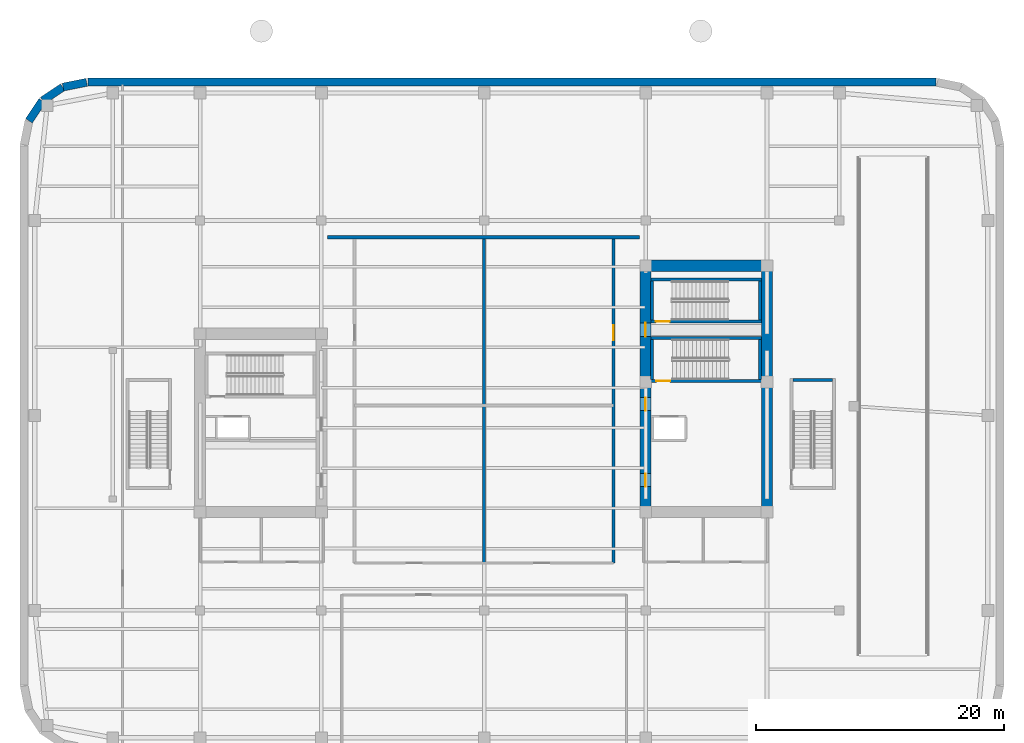
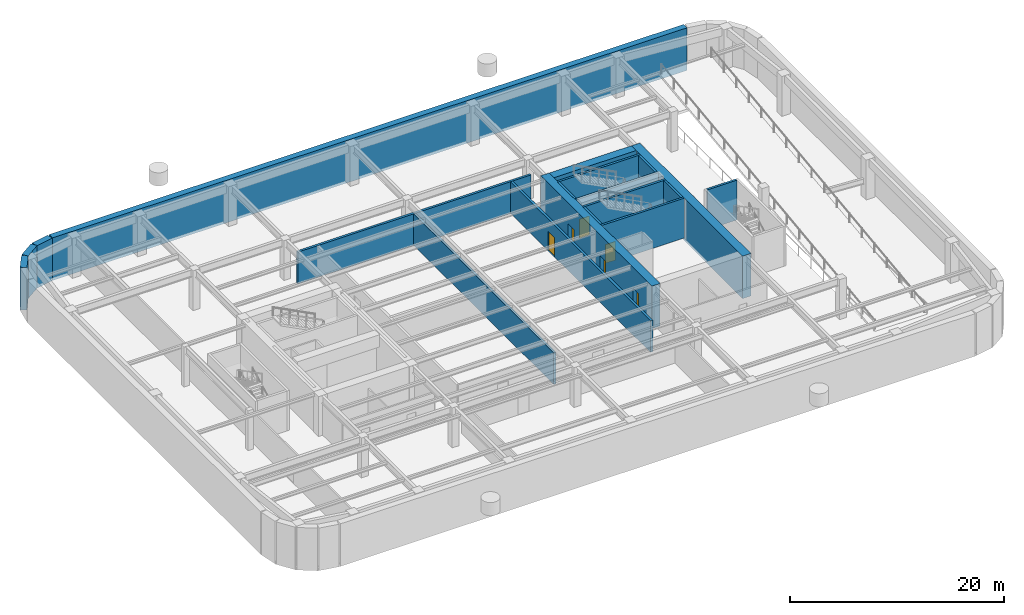
# One storey, part 6 of 12: 19 walls, 6 doors, 6 openings.
"""IFC4 building model written with IfcOpenShell, lengths in metres."""

import ifcopenshell
import ifcopenshell.guid

model = None  # the IFC model being written
_history = None  # IfcOwnerHistory: only IFC2X3 demands one
_inside = {}  # id of a spatial element -> (the spatial element, [elements in it])
_under = {}  # id of a project, library or spatial element -> (it, [spatial elements below it])
_declared = {}  # id of a project -> (the project, [libraries it declares])
_typed = {}  # id of a type object -> (the type object, [elements of that type])
_made_of = {}  # id of a material, layer set ... -> (it, [elements and type objects made of it])


def new_model(schema):
    """Start an empty IFC model of exactly this schema.

    Asked for "IFC4X3", IfcOpenShell would pick the latest addendum, in which some entities
    have other attributes; the version numbers below select the first issue.
    IFC2X3 requires an IfcOwnerHistory on every rooted entity: one is made here for all.
    """
    global model, _history
    if schema == "IFC4X3":
        model = ifcopenshell.file(schema_version=(4, 3, 0, 0))
    else:
        model = ifcopenshell.file(schema=schema)
    _inside.clear()
    _under.clear()
    _declared.clear()
    _typed.clear()
    _made_of.clear()
    _history = None
    if model.schema == "IFC2X3":
        org = make("IfcOrganization", Name="unknown")
        user = make(
            "IfcPersonAndOrganization",
            ThePerson=make("IfcPerson", FamilyName="unknown"),
            TheOrganization=org,
        )
        app = make(
            "IfcApplication",
            ApplicationDeveloper=org,
            Version="unknown",
            ApplicationFullName="unknown",
            ApplicationIdentifier="unknown",
        )
        _history = make(
            "IfcOwnerHistory",
            OwningUser=user,
            OwningApplication=app,
            ChangeAction="ADDED",
            CreationDate=0,
        )
    return model


def make(cls, **values):
    """One entity of the class cls with the attributes given. An attribute that is None is left unset."""
    return model.create_entity(
        cls, **{name: value for name, value in values.items() if value is not None}
    )


def rooted(cls, **values):
    """An entity with a GlobalId (a new one), such as an element, a storey or a relation."""
    return make(cls, GlobalId=ifcopenshell.guid.new(), OwnerHistory=_history, **values)


def si_unit(unit_type, name, prefix=None):
    """IfcSIUnit, for example si_unit("LENGTHUNIT", "METRE", prefix="MILLI")."""
    return make("IfcSIUnit", UnitType=unit_type, Prefix=prefix, Name=name)


def assignment(units):
    """IfcUnitAssignment: the units of a project."""
    return None if units is None else make("IfcUnitAssignment", Units=units)


def point(xyz):
    """IfcCartesianPoint."""
    return None if xyz is None else make("IfcCartesianPoint", Coordinates=xyz)


def direction(xyz):
    """IfcDirection."""
    return None if xyz is None else make("IfcDirection", DirectionRatios=xyz)


def frame(location, z_axis=None, x_axis=None):
    """IfcAxis2Placement3D, a coordinate frame: its origin and axes. An axis left out is left unset."""
    return make(
        "IfcAxis2Placement3D",
        Location=point(location),
        Axis=direction(z_axis),
        RefDirection=direction(x_axis),
    )


def frame_2d(location, x_axis=None):
    """IfcAxis2Placement2D, a coordinate frame in the plane: its origin and x axis."""
    return make(
        "IfcAxis2Placement2D", Location=point(location), RefDirection=direction(x_axis)
    )


def origin():
    """The frame at (0, 0, 0) with its axes left unset."""
    return frame((0.0, 0.0, 0.0))


def place(relative_to, where):
    """IfcLocalPlacement: puts the frame where relative to a parent placement (None: the world)."""
    return make(
        "IfcLocalPlacement", PlacementRelTo=relative_to, RelativePlacement=where
    )


def context(
    kind, dimensions, precision=None, world=None, true_north=None, identifier=None
):
    """IfcGeometricRepresentationContext, for example the 3D "Model" context."""
    return make(
        "IfcGeometricRepresentationContext",
        ContextIdentifier=identifier,
        ContextType=kind,
        CoordinateSpaceDimension=dimensions,
        Precision=precision,
        WorldCoordinateSystem=world,
        TrueNorth=true_north,
    )


def subcontext(parent, identifier, kind, view, scale=None):
    """IfcGeometricRepresentationSubContext, for example "Body" below "Model"."""
    return make(
        "IfcGeometricRepresentationSubContext",
        ContextIdentifier=identifier,
        ContextType=kind,
        ParentContext=parent,
        TargetScale=scale,
        TargetView=view,
    )


def project(units=None, contexts=None):
    """IfcProject with its units and contexts."""
    return rooted(
        "IfcProject",
        Name="project",
        RepresentationContexts=contexts,
        UnitsInContext=assignment(units),
    )


def spatial(cls, under=None, at=None, **own):
    """A site, building, storey or space (cls), placed at a placement, below another one or the project."""
    s = rooted(cls, ObjectPlacement=at, **own)
    if under is not None:
        _under.setdefault(under.id(), (under, []))[1].append(s)
    return s


def profile(cls, at=None, kind="AREA", **sizes):
    """A parametric profile (cls). Its sizes go by their IFC names, for example OverallWidth=200.0."""
    return make(cls, ProfileType=kind, Position=at, **sizes)


def rectangle(**sizes):
    """IfcRectangleProfileDef."""
    return profile("IfcRectangleProfileDef", **sizes)


def extrude(swept, where, along, depth):
    """IfcExtrudedAreaSolid: the profile swept, set in the frame where, extruded along a direction by depth."""
    return make(
        "IfcExtrudedAreaSolid",
        SweptArea=swept,
        Position=where,
        ExtrudedDirection=direction(along),
        Depth=depth,
    )


def shape(context_of_items, identifier, shape_type, items):
    """IfcShapeRepresentation: the items that make up one representation, for example the "Body"."""
    return make(
        "IfcShapeRepresentation",
        ContextOfItems=context_of_items,
        RepresentationIdentifier=identifier,
        RepresentationType=shape_type,
        Items=items,
    )


def material(Name=None, Category=None):
    """IfcMaterial."""
    return make("IfcMaterial", Name=Name, Category=Category)


def layer(
    of_material, thickness, ventilated=None, Name=None, Category=None, Priority=None
):
    """IfcMaterialLayer: one layer of a wall or slab, of a material (None: an air gap)."""
    return make(
        "IfcMaterialLayer",
        Material=of_material,
        LayerThickness=thickness,
        IsVentilated=ventilated,
        Name=Name,
        Category=Category,
        Priority=Priority,
    )


def layer_set(layers, Name=None):
    """IfcMaterialLayerSet."""
    return make("IfcMaterialLayerSet", MaterialLayers=layers, LayerSetName=Name)


def made_of(thing, what):
    """Note that an element or type object is made of a material, layer set ...; save() writes the relation."""
    if what is not None:
        _made_of.setdefault(what.id(), (what, []))[1].append(thing)
    return thing


def type_object(cls, material=None, **own):
    """A type object (cls), such as IfcWallType, which elements share."""
    return made_of(rooted(cls, **own), material)


def element(
    cls,
    number,
    at=None,
    inside=None,
    cuts=None,
    type_object=None,
    material=None,
    context=None,
    identifier="Body",
    shape_type=None,
    held_by="IfcProductDefinitionShape",
    body=None,
    shapes=None,
    **own,
):
    """One element of the class cls, such as IfcWall. Its Tag is "e" and its number.

    at: its placement. inside: the storey or other place that contains it. cuts: it is an
    opening in that element (IfcRelVoidsElement). A single representation is given by context,
    identifier, shape_type and body (its items); several are given by shapes. held_by: the class
    of the entity that holds the representations. save() writes the other relations.
    """
    e = rooted(cls, Tag="e%d" % number, ObjectPlacement=at, **own)
    if body is not None:
        shapes = [shape(context, identifier, shape_type, body)]
    if shapes is not None:
        e.Representation = make(held_by, Representations=shapes)
    if inside is not None:
        _inside.setdefault(inside.id(), (inside, []))[1].append(e)
    if cuts is not None:
        rooted(
            "IfcRelVoidsElement", RelatingBuildingElement=cuts, RelatedOpeningElement=e
        )
    if type_object is not None:
        _typed.setdefault(type_object.id(), (type_object, []))[1].append(e)
    return made_of(e, material)


def fill(opening, filler):
    """IfcRelFillsElement: the door or window that sits in an opening."""
    return rooted(
        "IfcRelFillsElement",
        RelatingOpeningElement=opening,
        RelatedBuildingElement=filler,
    )


def aggregate(whole, parts):
    """IfcRelAggregates: a whole, such as a stair, and the parts it consists of."""
    return rooted("IfcRelAggregates", RelatingObject=whole, RelatedObjects=parts)


def save(model, path):
    """Write the relations noted so far, then the file.

    IfcRelAggregates (storeys below a building ...), IfcRelContainedInSpatialStructure (elements
    in a storey), IfcRelDefinesByType, IfcRelAssociatesMaterial and IfcRelDeclares: one each for
    every whole, place, type object, material and project.
    """
    for whole, parts in _under.values():
        aggregate(whole, parts)
    for where, things in _inside.values():
        rooted(
            "IfcRelContainedInSpatialStructure",
            RelatedElements=things,
            RelatingStructure=where,
        )
    for kind, things in _typed.values():
        rooted("IfcRelDefinesByType", RelatedObjects=things, RelatingType=kind)
    for what, things in _made_of.values():
        rooted("IfcRelAssociatesMaterial", RelatedObjects=things, RelatingMaterial=what)
    for by, libraries in _declared.values():
        rooted("IfcRelDeclares", RelatingContext=by, RelatedDefinitions=libraries)
    model.write(path)


model = new_model("IFC4")

# Units and contexts
model_context = context("Model", 3, precision=1e-05, world=origin(), true_north=direction((0.0, 1.0)))
body_context = subcontext(model_context, "Body", "Model", "MODEL_VIEW")
ifc_project = project(units=[si_unit("LENGTHUNIT", "METRE"), si_unit("AREAUNIT", "SQUARE_METRE"), si_unit("VOLUMEUNIT", "CUBIC_METRE"), si_unit("PLANEANGLEUNIT", "RADIAN"), si_unit("MASSUNIT", "GRAM", prefix="KILO")], contexts=[model_context])

# Site, building, storey
site_placement = place(None, origin())
site = spatial("IfcSite", under=ifc_project, at=site_placement, CompositionType="ELEMENT")
building_placement = place(site_placement, origin())
building = spatial("IfcBuilding", under=site, at=building_placement, Name="Kolvaren Arena Tower", CompositionType="ELEMENT")
storey_placement = place(building_placement, frame((0.0, 0.0, -5.0)))
storey = spatial("IfcBuildingStorey", under=building, at=storey_placement, Name="B01", CompositionType="ELEMENT", Elevation=-5.0)

# Wall, openings, doors
ifc_material_1 = material(Name="Concrete 80 MPa", Category="concrete")
ifc_layer_1 = layer(ifc_material_1, 0.89990234375)
ifc_layer_set_1 = layer_set([ifc_layer_1], Name="Concrete 80 MPa")
wall_type_1 = type_object("IfcWallType", Name="CWALL-900", PredefinedType="SHEAR", material=ifc_layer_set_1)
wall_1_placement = place(storey_placement, frame((50.550048828125, 19.0, -0.31005859375), z_axis=(0.0, 0.0, 1.0), x_axis=(0.0, 1.0, 0.0)))
wall_1 = element("IfcWall", 1, at=wall_1_placement, inside=storey, type_object=wall_type_1, Name="Core Shear Wall EC-WEST (B01)", PredefinedType="SHEAR", context=body_context, shape_type="SweptSolid", body=[
    extrude(rectangle(XDim=20.800048828125, YDim=0.89990234375, at=frame_2d((10.39990234375, 0.0))), origin(), (0.0, 0.0, 1.0), 4.860107421875),
])
opening_1_placement = place(wall_1_placement, frame((2.5, 0.0, 0.31005859375)))
opening_1 = element("IfcOpeningElement", 2, at=opening_1_placement, cuts=wall_1, Name="Opening D04", PredefinedType="OPENING", context=body_context, shape_type="SweptSolid", body=[
    extrude(rectangle(XDim=1.050048828125, YDim=2.14990234375, at=frame_2d((0.52490234375, 1.074951171875))), frame((0.0, 0.4599609375, 0.0), z_axis=(0.0, -1.0, 0.0), x_axis=(1.0, 0.0, 0.0)), (0.0, 0.0, 1.0), 0.919921875),
])
opening_2_placement = place(wall_1_placement, frame((8.64990234375, 0.0, 0.31005859375)))
opening_2 = element("IfcOpeningElement", 3, at=opening_2_placement, cuts=wall_1, Name="Opening D04", PredefinedType="OPENING", context=body_context, shape_type="SweptSolid", body=[
    extrude(rectangle(XDim=1.050048828125, YDim=2.14990234375, at=frame_2d((0.52490234375, 1.074951171875))), frame((0.0, 0.4599609375, 0.0), z_axis=(0.0, -1.0, 0.0), x_axis=(1.0, 0.0, 0.0)), (0.0, 0.0, 1.0), 0.919921875),
])
opening_3_placement = place(wall_1_placement, frame((14.6201171875, 0.0, 0.31005859375)))
opening_3 = element("IfcOpeningElement", 4, at=opening_3_placement, cuts=wall_1, Name="Opening D03", PredefinedType="OPENING", context=body_context, shape_type="SweptSolid", body=[
    extrude(rectangle(XDim=1.10009765625, YDim=2.14990234375, at=frame_2d((0.550048828125, 1.074951171875))), frame((0.0, 0.4599609375, 0.0), z_axis=(0.0, -1.0, 0.0), x_axis=(1.0, 0.0, 0.0)), (0.0, 0.0, 1.0), 0.919921875),
])
ifc_material_2 = material(Name="Fire-rated steel lobby door", Category="steel")
door_type_1 = type_object("IfcDoorType", Name="DOOR-FF-105", OperationType="NOTDEFINED", PredefinedType="DOOR", material=ifc_material_2)
door_1_placement = place(opening_1_placement, origin())
door_1 = element("IfcDoor", 5, at=door_1_placement, inside=storey, type_object=door_type_1, Name="East Lift Lobby Fire Door (B01)", OperationType="SINGLE_SWING_RIGHT", OverallHeight=2.14990234375, OverallWidth=1.050048828125, PredefinedType="DOOR", context=body_context, shape_type="SweptSolid", body=[
    extrude(rectangle(XDim=1.050048828125, YDim=2.14990234375, at=frame_2d((0.52490234375, 1.074951171875))), frame((0.0, 0.02490234375, 0.0), z_axis=(0.0, -1.0, 0.0), x_axis=(1.0, 0.0, 0.0)), (0.0, 0.0, 1.0), 0.050048828125),
])
fill(opening_1, door_1)
door_2_placement = place(opening_2_placement, origin())
door_2 = element("IfcDoor", 6, at=door_2_placement, inside=storey, type_object=door_type_1, Name="East Firefighter Vestibule Door (B01)", OperationType="SINGLE_SWING_LEFT", OverallHeight=2.14990234375, OverallWidth=1.050048828125, PredefinedType="DOOR", context=body_context, shape_type="SweptSolid", body=[
    extrude(rectangle(XDim=1.050048828125, YDim=2.14990234375, at=frame_2d((0.52490234375, 1.074951171875))), frame((0.0, 0.02490234375, 0.0), z_axis=(0.0, -1.0, 0.0), x_axis=(1.0, 0.0, 0.0)), (0.0, 0.0, 1.0), 0.050048828125),
])
fill(opening_2, door_2)
ifc_material_3 = material(Name="Fire-rated steel exit stair door", Category="steel")
door_type_2 = type_object("IfcDoorType", Name="DOOR-ST-110", OperationType="NOTDEFINED", PredefinedType="DOOR", material=ifc_material_3)
door_3_placement = place(opening_3_placement, origin())
door_3 = element("IfcDoor", 7, at=door_3_placement, inside=storey, type_object=door_type_2, Name="Stair ST-E2 Vestibule Fire Door (B01)", OperationType="SINGLE_SWING_LEFT", OverallHeight=2.14990234375, OverallWidth=1.10009765625, PredefinedType="DOOR", context=body_context, shape_type="SweptSolid", body=[
    extrude(rectangle(XDim=1.10009765625, YDim=2.14990234375, at=frame_2d((0.550048828125, 1.074951171875))), frame((0.0, 0.02490234375, 0.0), z_axis=(0.0, -1.0, 0.0), x_axis=(1.0, 0.0, 0.0)), (0.0, 0.0, 1.0), 0.050048828125),
])
fill(opening_3, door_3)

# Walls
wall_2_placement = place(storey_placement, frame((60.35009765625, 19.0, -0.31005859375), z_axis=(0.0, 0.0, 1.0), x_axis=(0.0, 1.0, 0.0)))
element("IfcWall", 8, at=wall_2_placement, inside=storey, type_object=wall_type_1, Name="Core Shear Wall EC-EAST (B01)", PredefinedType="SHEAR", context=body_context, shape_type="SweptSolid", body=[
    extrude(rectangle(XDim=20.800048828125, YDim=0.89990234375, at=frame_2d((10.39990234375, 0.0))), origin(), (0.0, 0.0, 1.0), 4.860107421875),
])
wall_3_placement = place(storey_placement, frame((51.0, 39.35009765625, -0.31005859375), z_axis=(0.0, 0.0, 1.0), x_axis=(1.0, 0.0, 0.0)))
element("IfcWall", 9, at=wall_3_placement, inside=storey, type_object=wall_type_1, Name="Core Shear Wall EC-NORTH (B01)", PredefinedType="SHEAR", context=body_context, shape_type="SweptSolid", body=[
    extrude(rectangle(XDim=8.89990234375, YDim=0.89990234375, at=frame_2d((4.449951171875, 0.0))), origin(), (0.0, 0.0, 1.0), 4.860107421875),
])
ifc_material_4 = material(Name="Concrete 50 MPa", Category="concrete")
ifc_layer_2 = layer(ifc_material_4, 0.64990234375)
ifc_layer_set_2 = layer_set([ifc_layer_2], Name="Concrete 50 MPa")
wall_type_2 = type_object("IfcWallType", Name="RWALL-650", PredefinedType="USERDEFINED", material=ifc_layer_set_2)
wall_4_placement = place(storey_placement, frame((5.485107421875, 54.175048828125, -0.31005859375), z_axis=(0.0, 0.0, 1.0), x_axis=(1.0, 0.0, 0.0)))
element("IfcWall", 10, at=wall_4_placement, inside=storey, type_object=wall_type_2, Name="Basement Perimeter Retaining Wall (B01)", ObjectType="RETAININGWALL", PredefinedType="USERDEFINED", context=body_context, shape_type="SweptSolid", body=[
    extrude(rectangle(XDim=68.52978515625, YDim=0.64990234375, at=frame_2d((34.264892578125, 0.0))), origin(), (0.0, 0.0, 1.0), 4.860107421875),
])
for number, where, z_axis, x_axis, name in (
    (11, (3.480224609375, 53.78662109375, -0.31005859375), (0.0, 0.0, 1.0), (0.980754811029, 0.19524343944, 0.0), "Basement Perimeter Retaining Wall (B01)"),
    (12, (1.832763671875, 52.6953125, -0.31005859375), (0.0, 0.0, 1.0), (0.831468126154, 0.555572457191, 0.0), "Basement Perimeter Retaining Wall (B01)"),
    (13, (0.728515625, 51.056640625, -0.31005859375), (0.0, 0.0, 1.0), (0.555572457191, 0.831468126154, 0.0), "Basement Perimeter Retaining Wall (B01)"),
):
    element("IfcWall", number, at=place(storey_placement, frame(where, z_axis=z_axis, x_axis=x_axis)), inside=storey, type_object=wall_type_2, Name=name, ObjectType="RETAININGWALL", PredefinedType="USERDEFINED", context=body_context, shape_type="SweptSolid", body=[
        extrude(rectangle(XDim=1.93701171875, YDim=0.64990234375, at=frame_2d((0.968505859375, 0.0))), origin(), (0.0, 0.0, 1.0), 4.860107421875),
    ])
ifc_material_5 = material(Name="Concrete 45 MPa", Category="concrete")
ifc_layer_3 = layer(ifc_material_5, 0.25)
ifc_layer_set_3 = layer_set([ifc_layer_3], Name="Concrete 45 MPa")
wall_type_3 = type_object("IfcWallType", Name="SHAFT-250", PredefinedType="SOLIDWALL", material=ifc_layer_set_3)
wall_5_placement = place(storey_placement, frame((62.4599609375, 30.1201171875, 0.0), z_axis=(0.0, 0.0, 1.0), x_axis=(1.0, 0.0, 0.0)))
element("IfcWall", 14, at=wall_5_placement, inside=storey, type_object=wall_type_3, Name="Stair ST-B2 North Shaft Wall (B01)", PredefinedType="SOLIDWALL", context=body_context, shape_type="SweptSolid", body=[
    extrude(rectangle(XDim=3.18994140625, YDim=0.239990234375, at=frame_2d((1.594970703125, 0.0))), origin(), (0.0, 0.0, 1.0), 4.550048828125),
])

# Wall, opening, door
wall_6_placement = place(storey_placement, frame((59.89990234375, 30.030029296875, 0.0), z_axis=(0.0, 0.0, 1.0), x_axis=(-1.0, 0.0, 0.0)))
wall_6 = element("IfcWall", 15, at=wall_6_placement, inside=storey, type_object=wall_type_3, Name="Core Shaft Wall (B01)", PredefinedType="SOLIDWALL", context=body_context, shape_type="SweptSolid", body=[
    extrude(rectangle(XDim=8.89990234375, YDim=0.239990234375, at=frame_2d((4.449951171875, 0.0))), origin(), (0.0, 0.0, 1.0), 4.550048828125),
])
opening_4_placement = place(wall_6_placement, frame((7.3798828125, 0.0, 0.0)))
opening_4 = element("IfcOpeningElement", 16, at=opening_4_placement, cuts=wall_6, Name="Opening D03", PredefinedType="OPENING", context=body_context, shape_type="SweptSolid", body=[
    extrude(rectangle(XDim=1.10009765625, YDim=2.14990234375, at=frame_2d((0.550048828125, 1.074951171875))), frame((0.0, 0.1298828125, 0.0), z_axis=(0.0, -1.0, 0.0), x_axis=(1.0, 0.0, 0.0)), (0.0, 0.0, 1.0), 0.260009765625),
])
door_4_placement = place(opening_4_placement, origin())
door_4 = element("IfcDoor", 17, at=door_4_placement, inside=storey, type_object=door_type_2, Name="Stair ST-E1 Fire Door (B01)", OperationType="SINGLE_SWING_LEFT", OverallHeight=2.14990234375, OverallWidth=1.10009765625, PredefinedType="DOOR", context=body_context, shape_type="SweptSolid", body=[
    extrude(rectangle(XDim=1.10009765625, YDim=2.14990234375, at=frame_2d((0.550048828125, 1.074951171875))), frame((0.0, 0.02490234375, 0.0), z_axis=(0.0, -1.0, 0.0), x_axis=(1.0, 0.0, 0.0)), (0.0, 0.0, 1.0), 0.050048828125),
])
fill(opening_4, door_4)

# Walls
wall_7_placement = place(storey_placement, frame((51.0, 33.5, 0.0), z_axis=(0.0, 0.0, 1.0), x_axis=(1.0, 0.0, 0.0)))
element("IfcWall", 18, at=wall_7_placement, inside=storey, type_object=wall_type_3, Name="Core Shaft Wall (B01)", PredefinedType="SOLIDWALL", context=body_context, shape_type="SweptSolid", body=[
    extrude(rectangle(XDim=8.89990234375, YDim=0.239990234375, at=frame_2d((4.449951171875, 0.0))), origin(), (0.0, 0.0, 1.0), 4.550048828125),
])
for number, where, z_axis, x_axis, name in (
    (19, (51.06005859375, 30.14990234375, 0.0), (0.0, 0.0, 1.0), (0.0, 1.0, 0.0), "Core Shaft Wall (B01)"),
    (20, (59.780029296875, 30.14990234375, 0.0), (0.0, 0.0, 1.0), (0.0, 1.0, 0.0), "Core Shaft Wall (B01)"),
):
    element("IfcWall", number, at=place(storey_placement, frame(where, z_axis=z_axis, x_axis=x_axis)), inside=storey, type_object=wall_type_3, Name=name, PredefinedType="SOLIDWALL", context=body_context, shape_type="SweptSolid", body=[
        extrude(rectangle(XDim=3.22998046875, YDim=0.239990234375, at=frame_2d((1.614990234375, 0.0))), origin(), (0.0, 0.0, 1.0), 4.550048828125),
    ])

# Wall, opening, door
wall_8_placement = place(storey_placement, frame((59.89990234375, 34.830078125, 0.0), z_axis=(0.0, 0.0, 1.0), x_axis=(-1.0, 0.0, 0.0)))
wall_8 = element("IfcWall", 21, at=wall_8_placement, inside=storey, type_object=wall_type_3, Name="Core Shaft Wall (B01)", PredefinedType="SOLIDWALL", context=body_context, shape_type="SweptSolid", body=[
    extrude(rectangle(XDim=8.89990234375, YDim=0.239990234375, at=frame_2d((4.449951171875, 0.0))), origin(), (0.0, 0.0, 1.0), 4.550048828125),
])
opening_5_placement = place(wall_8_placement, frame((7.419921875, 0.0, 0.0)))
opening_5 = element("IfcOpeningElement", 22, at=opening_5_placement, cuts=wall_8, Name="Opening D03", PredefinedType="OPENING", context=body_context, shape_type="SweptSolid", body=[
    extrude(rectangle(XDim=1.10009765625, YDim=2.14990234375, at=frame_2d((0.550048828125, 1.074951171875))), frame((0.0, 0.1298828125, 0.0), z_axis=(0.0, -1.0, 0.0), x_axis=(1.0, 0.0, 0.0)), (0.0, 0.0, 1.0), 0.260009765625),
])
door_5_placement = place(opening_5_placement, origin())
door_5 = element("IfcDoor", 23, at=door_5_placement, inside=storey, type_object=door_type_2, Name="Stair ST-E2 Fire Door (B01)", OperationType="SINGLE_SWING_LEFT", OverallHeight=2.14990234375, OverallWidth=1.10009765625, PredefinedType="DOOR", context=body_context, shape_type="SweptSolid", body=[
    extrude(rectangle(XDim=1.10009765625, YDim=2.14990234375, at=frame_2d((0.550048828125, 1.074951171875))), frame((0.0, 0.02490234375, 0.0), z_axis=(0.0, -1.0, 0.0), x_axis=(1.0, 0.0, 0.0)), (0.0, 0.0, 1.0), 0.050048828125),
])
fill(opening_5, door_5)

# Walls
wall_9_placement = place(storey_placement, frame((51.0, 38.219970703125, 0.0), z_axis=(0.0, 0.0, 1.0), x_axis=(1.0, 0.0, 0.0)))
element("IfcWall", 24, at=wall_9_placement, inside=storey, type_object=wall_type_3, Name="Core Shaft Wall (B01)", PredefinedType="SOLIDWALL", context=body_context, shape_type="SweptSolid", body=[
    extrude(rectangle(XDim=8.89990234375, YDim=0.239990234375, at=frame_2d((4.449951171875, 0.0))), origin(), (0.0, 0.0, 1.0), 4.550048828125),
])
for number, where, z_axis, x_axis, name in (
    (25, (51.06005859375, 34.949951171875, 0.0), (0.0, 0.0, 1.0), (0.0, 1.0, 0.0), "Core Shaft Wall (B01)"),
    (26, (59.780029296875, 34.949951171875, 0.0), (0.0, 0.0, 1.0), (0.0, 1.0, 0.0), "Core Shaft Wall (B01)"),
):
    element("IfcWall", number, at=place(storey_placement, frame(where, z_axis=z_axis, x_axis=x_axis)), inside=storey, type_object=wall_type_3, Name=name, PredefinedType="SOLIDWALL", context=body_context, shape_type="SweptSolid", body=[
        extrude(rectangle(XDim=3.150146484375, YDim=0.239990234375, at=frame_2d((1.5751953125, 0.0))), origin(), (0.0, 0.0, 1.0), 4.550048828125),
    ])
wall_10_placement = place(storey_placement, frame((37.5, 15.340087890625, 0.0), z_axis=(0.0, 0.0, 1.0), x_axis=(0.0, 1.0, 0.0)))
element("IfcWall", 27, at=wall_10_placement, inside=storey, type_object=wall_type_3, Name="Interior Partition Wall (B01)", PredefinedType="SOLIDWALL", context=body_context, shape_type="SweptSolid", body=[
    extrude(rectangle(XDim=26.309814453125, YDim=0.25, at=frame_2d((13.15478515625, 0.0))), origin(), (0.0, 0.0, 1.0), 3.610107421875),
])
wall_11_placement = place(storey_placement, frame((24.85009765625, 41.64990234375, 0.0), z_axis=(0.0, 0.0, 1.0), x_axis=(1.0, 0.0, 0.0)))
element("IfcWall", 28, at=wall_11_placement, inside=storey, type_object=wall_type_3, Name="Interior Partition Wall (B01)", PredefinedType="SOLIDWALL", context=body_context, shape_type="SweptSolid", body=[
    extrude(rectangle(XDim=25.199951171875, YDim=0.25, at=frame_2d((12.60009765625, 0.0))), origin(), (0.0, 0.0, 1.0), 3.610107421875),
])

# Wall, opening, door
wall_12_placement = place(storey_placement, frame((47.9599609375, 15.340087890625, 0.0), z_axis=(0.0, 0.0, 1.0), x_axis=(0.0, 1.0, 0.0)))
wall_12 = element("IfcWall", 29, at=wall_12_placement, inside=storey, type_object=wall_type_3, Name="Interior Partition Wall (B01)", PredefinedType="SOLIDWALL", context=body_context, shape_type="SweptSolid", body=[
    extrude(rectangle(XDim=26.309814453125, YDim=0.25, at=frame_2d((13.15478515625, 0.0))), origin(), (0.0, 0.0, 1.0), 3.610107421875),
])
opening_6_placement = place(wall_12_placement, frame((18.0, 0.0, 0.0)))
opening_6 = element("IfcOpeningElement", 30, at=opening_6_placement, cuts=wall_12, Name="Opening D08", PredefinedType="OPENING", context=body_context, shape_type="SweptSolid", body=[
    extrude(rectangle(XDim=1.199951171875, YDim=2.199951171875, at=frame_2d((0.60009765625, 1.10009765625))), frame((0.0, 0.135009765625, 0.0), z_axis=(0.0, -1.0, 0.0), x_axis=(1.0, 0.0, 0.0)), (0.0, 0.0, 1.0), 0.27001953125),
])
ifc_material_6 = material(Name="Fire-rated steel plant room door", Category="steel")
door_type_3 = type_object("IfcDoorType", Name="DOOR-PL-120", OperationType="NOTDEFINED", PredefinedType="DOOR", material=ifc_material_6)
door_6_placement = place(opening_6_placement, origin())
door_6 = element("IfcDoor", 31, at=door_6_placement, inside=storey, type_object=door_type_3, Name="Rigging Storage Fire Door", OperationType="SINGLE_SWING_RIGHT", OverallHeight=2.199951171875, OverallWidth=1.199951171875, PredefinedType="DOOR", context=body_context, shape_type="SweptSolid", body=[
    extrude(rectangle(XDim=1.199951171875, YDim=2.199951171875, at=frame_2d((0.60009765625, 1.10009765625))), frame((0.0, 0.02490234375, 0.0), z_axis=(0.0, -1.0, 0.0), x_axis=(1.0, 0.0, 0.0)), (0.0, 0.0, 1.0), 0.050048828125),
])
fill(opening_6, door_6)

save(model, "model.ifc")
